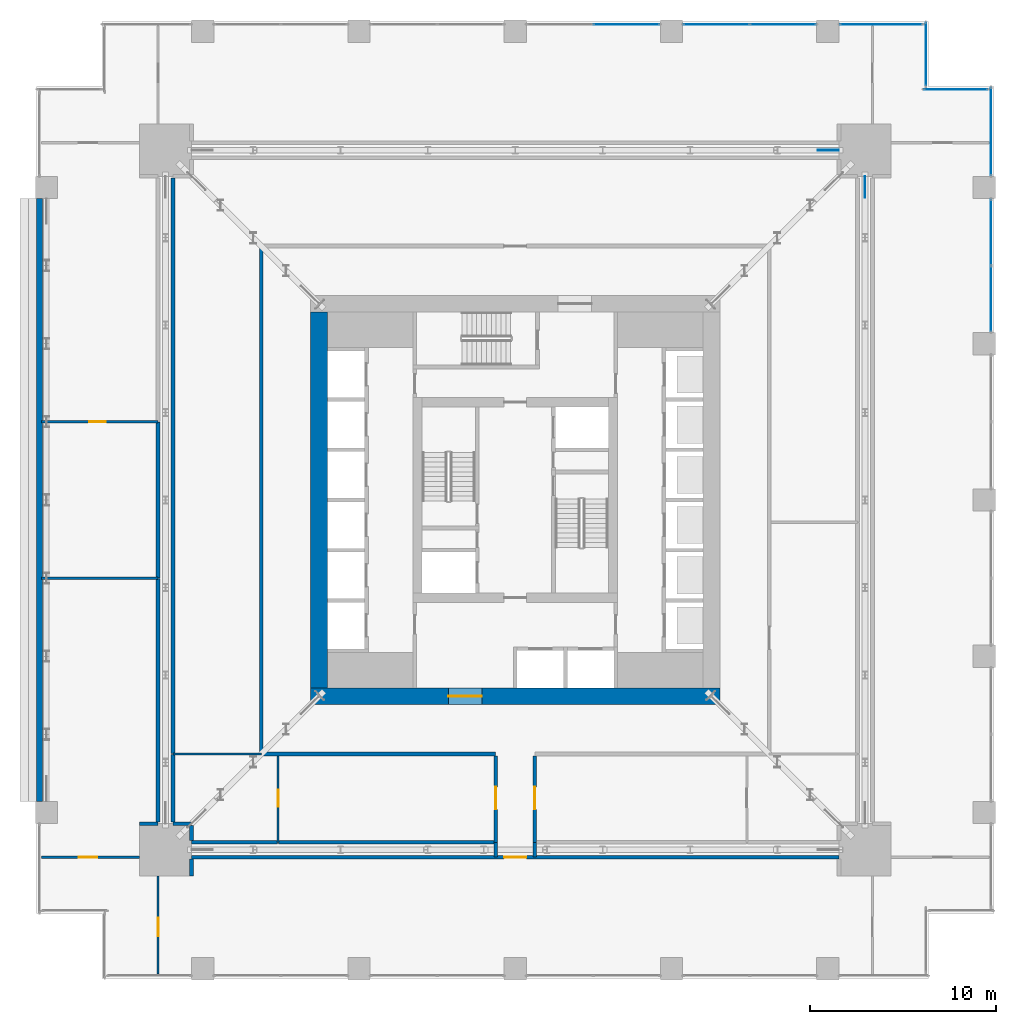
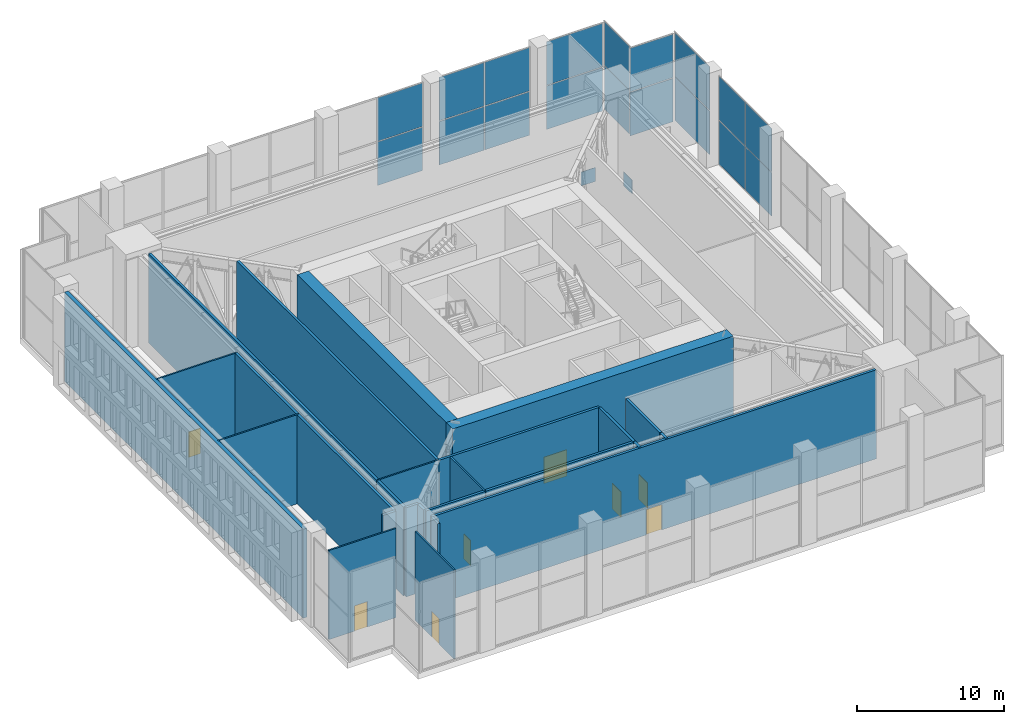
# One storey, part 15 of 21: 26 walls, 20 plates, 8 doors, 8 openings, 7 elements without a shape of their own.
"""IFC4 building model written with IfcOpenShell, lengths in metres."""

from ifc_helpers import new_model, si_unit, direction, frame, frame_2d, origin, origin_2d, place, context, subcontext, project, spatial, rectangle, extrude, material, layer, layer_set, type_object, element, fill, aggregate, save


model = new_model("IFC4")

# Units and contexts
model_context = context("Model", 3, precision=1e-05, world=origin(), true_north=direction((0.0, 1.0)))
body_context = subcontext(model_context, "Body", "Model", "MODEL_VIEW")
ifc_project = project(units=[si_unit("LENGTHUNIT", "METRE"), si_unit("AREAUNIT", "SQUARE_METRE"), si_unit("VOLUMEUNIT", "CUBIC_METRE"), si_unit("PLANEANGLEUNIT", "RADIAN"), si_unit("MASSUNIT", "GRAM", prefix="KILO")], contexts=[model_context])

# Site, building, storey
site_placement = place(None, origin())
site = spatial("IfcSite", under=ifc_project, at=site_placement, CompositionType="ELEMENT")
building_placement = place(site_placement, origin())
building = spatial("IfcBuilding", under=site, at=building_placement, Name="Khepri Terraces", CompositionType="ELEMENT")
storey_placement = place(building_placement, frame((0.0, 0.0, 126.0)))
storey = spatial("IfcBuildingStorey", under=building, at=storey_placement, Name="L30", CompositionType="ELEMENT", Elevation=126.0)

# Curtain wall, plates
ifc_material_1 = material(Name="Anodised aluminium bronze curtain wall", Category="aluminium")
curtain_wall_type = type_object("IfcCurtainWallType", Name="CW-SYS3-SKY", PredefinedType="NOTDEFINED", material=ifc_material_1)
curtain_wall_1_placement = place(storey_placement, origin())
curtain_wall_1 = element("IfcCurtainWall", 1, at=curtain_wall_1_placement, inside=storey, type_object=curtain_wall_type, Name="Curtain wall CW3 L30 E", PredefinedType="NOTDEFINED")
ifc_material_2 = material(Name="Clear glass", Category="glass")
ifc_layer_1 = layer(ifc_material_2, 0.028076171875, Name="Clear glass", Category="glass")
ifc_layer_set_1 = layer_set([ifc_layer_1], Name="Clear glass")
plate_type_1 = type_object("IfcPlateType", Name="CW-PANEL-VISION-28", PredefinedType="CURTAIN_PANEL", material=ifc_layer_set_1)
plate_1_placement = place(storey_placement, frame((25.570068359375, 10.81494140625, 0.06005859375), z_axis=(0.0, 0.0, 1.0), x_axis=(0.0, 1.0, 0.0)))
plate_1 = element("IfcPlate", 2, at=plate_1_placement, type_object=plate_type_1, Name="CW3 panel 1.1", PredefinedType="CURTAIN_PANEL", context=body_context, shape_type="SweptSolid", body=[
    extrude(rectangle(XDim=3.510009765625, YDim=0.028076171875, at=origin_2d()), origin(), (0.0, 0.0, 1.0), 3.60009765625),
])
plate_2_placement = place(storey_placement, frame((25.570068359375, 10.81494140625, 3.719970703125), z_axis=(0.0, 0.0, 1.0), x_axis=(0.0, 1.0, 0.0)))
plate_2 = element("IfcPlate", 3, at=plate_2_placement, type_object=plate_type_1, Name="CW3 panel 1.2", PredefinedType="CURTAIN_PANEL", context=body_context, shape_type="SweptSolid", body=[
    extrude(rectangle(XDim=3.510009765625, YDim=0.028076171875, at=origin_2d()), origin(), (0.0, 0.0, 1.0), 3.60009765625),
])
plate_3_placement = place(storey_placement, frame((25.570068359375, 14.385009765625, 0.06005859375), z_axis=(0.0, 0.0, 1.0), x_axis=(0.0, 1.0, 0.0)))
plate_3 = element("IfcPlate", 4, at=plate_3_placement, type_object=plate_type_1, Name="CW3 panel 2.1", PredefinedType="CURTAIN_PANEL", context=body_context, shape_type="SweptSolid", body=[
    extrude(rectangle(XDim=3.510009765625, YDim=0.028076171875, at=origin_2d()), origin(), (0.0, 0.0, 1.0), 3.60009765625),
])
plate_4_placement = place(storey_placement, frame((25.570068359375, 14.385009765625, 3.719970703125), z_axis=(0.0, 0.0, 1.0), x_axis=(0.0, 1.0, 0.0)))
plate_4 = element("IfcPlate", 5, at=plate_4_placement, type_object=plate_type_1, Name="CW3 panel 2.2", PredefinedType="CURTAIN_PANEL", context=body_context, shape_type="SweptSolid", body=[
    extrude(rectangle(XDim=3.510009765625, YDim=0.028076171875, at=origin_2d()), origin(), (0.0, 0.0, 1.0), 3.60009765625),
])
aggregate(curtain_wall_1, [plate_1, plate_2, plate_3, plate_4])

curtain_wall_2_placement = place(storey_placement, origin())
curtain_wall_2 = element("IfcCurtainWall", 6, at=curtain_wall_2_placement, inside=storey, type_object=curtain_wall_type, Name="Curtain wall CW3 L30 E", PredefinedType="NOTDEFINED")
plate_5_placement = place(storey_placement, frame((25.570068359375, 19.81005859375, 0.06005859375), z_axis=(0.0, 0.0, 1.0), x_axis=(0.0, 1.0, 0.0)))
plate_5 = element("IfcPlate", 7, at=plate_5_placement, type_object=plate_type_1, Name="CW3 panel 1.1", PredefinedType="CURTAIN_PANEL", context=body_context, shape_type="SweptSolid", body=[
    extrude(rectangle(XDim=4.699951171875, YDim=0.028076171875, at=origin_2d()), origin(), (0.0, 0.0, 1.0), 3.60009765625),
])
plate_6_placement = place(storey_placement, frame((25.570068359375, 19.81005859375, 3.719970703125), z_axis=(0.0, 0.0, 1.0), x_axis=(0.0, 1.0, 0.0)))
plate_6 = element("IfcPlate", 8, at=plate_6_placement, type_object=plate_type_1, Name="CW3 panel 1.2", PredefinedType="CURTAIN_PANEL", context=body_context, shape_type="SweptSolid", body=[
    extrude(rectangle(XDim=4.699951171875, YDim=0.028076171875, at=origin_2d()), origin(), (0.0, 0.0, 1.0), 3.60009765625),
])
aggregate(curtain_wall_2, [plate_5, plate_6])

curtain_wall_3_placement = place(storey_placement, origin())
curtain_wall_3 = element("IfcCurtainWall", 9, at=curtain_wall_3_placement, inside=storey, type_object=curtain_wall_type, Name="Curtain wall CW3 L30 N", PredefinedType="NOTDEFINED")
plate_7_placement = place(storey_placement, frame((23.669921875, 22.070068359375, 0.06005859375), z_axis=(0.0, 0.0, 1.0), x_axis=(-1.0, 0.0, 0.0)))
plate_7 = element("IfcPlate", 10, at=plate_7_placement, type_object=plate_type_1, Name="CW3 panel 1.1", PredefinedType="CURTAIN_PANEL", context=body_context, shape_type="SweptSolid", body=[
    extrude(rectangle(XDim=3.3798828125, YDim=0.028076171875, at=origin_2d()), origin(), (0.0, 0.0, 1.0), 3.60009765625),
])
plate_8_placement = place(storey_placement, frame((23.669921875, 22.070068359375, 3.719970703125), z_axis=(0.0, 0.0, 1.0), x_axis=(-1.0, 0.0, 0.0)))
plate_8 = element("IfcPlate", 11, at=plate_8_placement, type_object=plate_type_1, Name="CW3 panel 1.2", PredefinedType="CURTAIN_PANEL", context=body_context, shape_type="SweptSolid", body=[
    extrude(rectangle(XDim=3.3798828125, YDim=0.028076171875, at=origin_2d()), origin(), (0.0, 0.0, 1.0), 3.60009765625),
])
aggregate(curtain_wall_3, [plate_7, plate_8])

curtain_wall_4_placement = place(storey_placement, origin())
curtain_wall_4 = element("IfcCurtainWall", 12, at=curtain_wall_4_placement, inside=storey, type_object=curtain_wall_type, Name="Curtain wall CW3 L30 E", PredefinedType="NOTDEFINED")
plate_9_placement = place(storey_placement, frame((22.070068359375, 23.969970703125, 0.06005859375), z_axis=(0.0, 0.0, 1.0), x_axis=(0.0, 1.0, 0.0)))
plate_9 = element("IfcPlate", 13, at=plate_9_placement, type_object=plate_type_1, Name="CW3 panel 1.1", PredefinedType="CURTAIN_PANEL", context=body_context, shape_type="SweptSolid", body=[
    extrude(rectangle(XDim=3.3798828125, YDim=0.028076171875, at=origin_2d()), origin(), (0.0, 0.0, 1.0), 3.60009765625),
])
plate_10_placement = place(storey_placement, frame((22.070068359375, 23.969970703125, 3.719970703125), z_axis=(0.0, 0.0, 1.0), x_axis=(0.0, 1.0, 0.0)))
plate_10 = element("IfcPlate", 14, at=plate_10_placement, type_object=plate_type_1, Name="CW3 panel 1.2", PredefinedType="CURTAIN_PANEL", context=body_context, shape_type="SweptSolid", body=[
    extrude(rectangle(XDim=3.3798828125, YDim=0.028076171875, at=origin_2d()), origin(), (0.0, 0.0, 1.0), 3.60009765625),
])
aggregate(curtain_wall_4, [plate_9, plate_10])

curtain_wall_5_placement = place(storey_placement, origin())
curtain_wall_5 = element("IfcCurtainWall", 15, at=curtain_wall_5_placement, inside=storey, type_object=curtain_wall_type, Name="Curtain wall CW3 L30 N", PredefinedType="NOTDEFINED")
plate_11_placement = place(storey_placement, frame((19.659912109375, 25.570068359375, 0.06005859375), z_axis=(0.0, 0.0, 1.0), x_axis=(-1.0, 0.0, 0.0)))
plate_11 = element("IfcPlate", 16, at=plate_11_placement, type_object=plate_type_1, Name="CW3 panel 1.1", PredefinedType="CURTAIN_PANEL", context=body_context, shape_type="SweptSolid", body=[
    extrude(rectangle(XDim=4.39990234375, YDim=0.028076171875, at=origin_2d()), origin(), (0.0, 0.0, 1.0), 3.60009765625),
])
plate_12_placement = place(storey_placement, frame((19.659912109375, 25.570068359375, 3.719970703125), z_axis=(0.0, 0.0, 1.0), x_axis=(-1.0, 0.0, 0.0)))
plate_12 = element("IfcPlate", 17, at=plate_12_placement, type_object=plate_type_1, Name="CW3 panel 1.2", PredefinedType="CURTAIN_PANEL", context=body_context, shape_type="SweptSolid", body=[
    extrude(rectangle(XDim=4.39990234375, YDim=0.028076171875, at=origin_2d()), origin(), (0.0, 0.0, 1.0), 3.60009765625),
])
aggregate(curtain_wall_5, [plate_11, plate_12])

curtain_wall_6_placement = place(storey_placement, origin())
curtain_wall_6 = element("IfcCurtainWall", 18, at=curtain_wall_6_placement, inside=storey, type_object=curtain_wall_type, Name="Curtain wall CW3 L30 N", PredefinedType="NOTDEFINED")
plate_13_placement = place(storey_placement, frame((14.385009765625, 25.570068359375, 0.06005859375), z_axis=(0.0, 0.0, 1.0), x_axis=(-1.0, 0.0, 0.0)))
plate_13 = element("IfcPlate", 19, at=plate_13_placement, type_object=plate_type_1, Name="CW3 panel 1.1", PredefinedType="CURTAIN_PANEL", context=body_context, shape_type="SweptSolid", body=[
    extrude(rectangle(XDim=3.510009765625, YDim=0.028076171875, at=origin_2d()), origin(), (0.0, 0.0, 1.0), 3.60009765625),
])
plate_14_placement = place(storey_placement, frame((14.385009765625, 25.570068359375, 3.719970703125), z_axis=(0.0, 0.0, 1.0), x_axis=(-1.0, 0.0, 0.0)))
plate_14 = element("IfcPlate", 20, at=plate_14_placement, type_object=plate_type_1, Name="CW3 panel 1.2", PredefinedType="CURTAIN_PANEL", context=body_context, shape_type="SweptSolid", body=[
    extrude(rectangle(XDim=3.510009765625, YDim=0.028076171875, at=origin_2d()), origin(), (0.0, 0.0, 1.0), 3.60009765625),
])
plate_15_placement = place(storey_placement, frame((10.81494140625, 25.570068359375, 0.06005859375), z_axis=(0.0, 0.0, 1.0), x_axis=(-1.0, 0.0, 0.0)))
plate_15 = element("IfcPlate", 21, at=plate_15_placement, type_object=plate_type_1, Name="CW3 panel 2.1", PredefinedType="CURTAIN_PANEL", context=body_context, shape_type="SweptSolid", body=[
    extrude(rectangle(XDim=3.510009765625, YDim=0.028076171875, at=origin_2d()), origin(), (0.0, 0.0, 1.0), 3.60009765625),
])
plate_16_placement = place(storey_placement, frame((10.81494140625, 25.570068359375, 3.719970703125), z_axis=(0.0, 0.0, 1.0), x_axis=(-1.0, 0.0, 0.0)))
plate_16 = element("IfcPlate", 22, at=plate_16_placement, type_object=plate_type_1, Name="CW3 panel 2.2", PredefinedType="CURTAIN_PANEL", context=body_context, shape_type="SweptSolid", body=[
    extrude(rectangle(XDim=3.510009765625, YDim=0.028076171875, at=origin_2d()), origin(), (0.0, 0.0, 1.0), 3.60009765625),
])
aggregate(curtain_wall_6, [plate_13, plate_14, plate_15, plate_16])

curtain_wall_7_placement = place(storey_placement, origin())
curtain_wall_7 = element("IfcCurtainWall", 23, at=curtain_wall_7_placement, inside=storey, type_object=curtain_wall_type, Name="Curtain wall CW3 L30 N", PredefinedType="NOTDEFINED")
plate_17_placement = place(storey_placement, frame((5.985107421875, 25.570068359375, 0.06005859375), z_axis=(0.0, 0.0, 1.0), x_axis=(-1.0, 0.0, 0.0)))
plate_17 = element("IfcPlate", 24, at=plate_17_placement, type_object=plate_type_1, Name="CW3 panel 1.1", PredefinedType="CURTAIN_PANEL", context=body_context, shape_type="SweptSolid", body=[
    extrude(rectangle(XDim=3.510009765625, YDim=0.028076171875, at=origin_2d()), origin(), (0.0, 0.0, 1.0), 3.60009765625),
])
plate_18_placement = place(storey_placement, frame((5.985107421875, 25.570068359375, 3.719970703125), z_axis=(0.0, 0.0, 1.0), x_axis=(-1.0, 0.0, 0.0)))
plate_18 = element("IfcPlate", 25, at=plate_18_placement, type_object=plate_type_1, Name="CW3 panel 1.2", PredefinedType="CURTAIN_PANEL", context=body_context, shape_type="SweptSolid", body=[
    extrude(rectangle(XDim=3.510009765625, YDim=0.028076171875, at=origin_2d()), origin(), (0.0, 0.0, 1.0), 3.60009765625),
])
aggregate(curtain_wall_7, [plate_17, plate_18])

# Plates
ifc_material_3 = material(Name="Steel S355", Category="steel")
ifc_layer_2 = layer(ifc_material_3, 0.030029296875, Name="Steel S355", Category="steel")
ifc_layer_set_2 = layer_set([ifc_layer_2], Name="Steel S355")
plate_type_2 = type_object("IfcPlateType", Name="Gusset plate 1150x1150x30", PredefinedType="USERDEFINED", material=ifc_layer_set_2)
for number, where, z_axis, x_axis, name in (
    (26, (18.800048828125, 16.824951171875, -0.099853515625), (0.0, 0.0, 1.0), (0.0, 1.0, 0.0), "GUSSET PLATE BT-30-E column node B"),
    (27, (16.824951171875, 18.800048828125, -0.099853515625), (0.0, 0.0, 1.0), (-1.0, 0.0, 0.0), "GUSSET PLATE BT-30-N column node A"),
):
    element("IfcPlate", number, at=place(storey_placement, frame(where, z_axis=z_axis, x_axis=x_axis)), inside=storey, type_object=plate_type_2, Name=name, ObjectType="GUSSET PLATE", PredefinedType="USERDEFINED", context=body_context, shape_type="SweptSolid", body=[
        extrude(rectangle(XDim=1.14990234375, YDim=0.030029296875, at=origin_2d()), origin(), (0.0, 0.0, 1.0), 1.14990234375),
    ])

# Wall, opening, door
ifc_material_4 = material(Name="Concrete C70/85", Category="concrete")
ifc_layer_3 = layer(ifc_material_4, 0.89990234375, Name="Concrete C70/85", Category="concrete")
ifc_layer_set_3 = layer_set([ifc_layer_3], Name="Concrete C70/85")
wall_type_1 = type_object("IfcWallType", Name="Core wall 900 C70/85", PredefinedType="SHEAR", material=ifc_layer_set_3)
wall_1_placement = place(storey_placement, frame((-11.0, -10.550048828125, 0.0), z_axis=(0.0, 0.0, 1.0), x_axis=(1.0, 0.0, 0.0)))
wall_1 = element("IfcWall", 28, at=wall_1_placement, inside=storey, type_object=wall_type_1, Name="Core wall OW-S L30", PredefinedType="SHEAR", context=body_context, shape_type="SweptSolid", body=[
    extrude(rectangle(XDim=22.0, YDim=0.89990234375, at=frame_2d((11.0, 0.0))), origin(), (0.0, 0.0, 1.0), 7.3798828125),
])
opening_1_placement = place(wall_1_placement, frame((7.39990234375, 0.0, 0.0)))
opening_1 = element("IfcOpeningElement", 29, at=opening_1_placement, cuts=wall_1, Name="Opening L30-C29", PredefinedType="OPENING", context=body_context, shape_type="SweptSolid", body=[
    extrude(rectangle(XDim=1.800048828125, YDim=2.199951171875, at=frame_2d((0.89990234375, 1.10009765625))), frame((0.0, 0.4599609375, 0.0), z_axis=(0.0, -1.0, 0.0), x_axis=(1.0, 0.0, 0.0)), (0.0, 0.0, 1.0), 0.919921875),
])
ifc_material_5 = material(Name="Painted steel", Category="steel")
door_type_1 = type_object("IfcDoorType", Name="DR-CORE-ENTRANCE-1800", OperationType="NOTDEFINED", PredefinedType="DOOR", material=ifc_material_5)
door_1_placement = place(opening_1_placement, frame((1.800048828125, 0.0, 0.0), z_axis=(0.0, 0.0, 1.0), x_axis=(-1.0, 0.0, 0.0)))
door_1 = element("IfcDoor", 30, at=door_1_placement, inside=storey, type_object=door_type_1, Name="Core entrance door pair L30-C29", OperationType="DOUBLE_DOOR_SINGLE_SWING", OverallHeight=2.199951171875, OverallWidth=1.800048828125, PredefinedType="DOOR", context=body_context, shape_type="SweptSolid", body=[
    extrude(rectangle(XDim=1.800048828125, YDim=2.199951171875, at=frame_2d((0.89990234375, 1.10009765625))), frame((0.0, 0.02490234375, 0.0), z_axis=(0.0, -1.0, 0.0), x_axis=(1.0, 0.0, 0.0)), (0.0, 0.0, 1.0), 0.050048828125),
])
fill(opening_1, door_1)

# Walls
wall_2_placement = place(storey_placement, frame((-10.550048828125, -10.10009765625, 0.0), z_axis=(0.0, 0.0, 1.0), x_axis=(0.0, 1.0, 0.0)))
element("IfcWall", 31, at=wall_2_placement, inside=storey, type_object=wall_type_1, Name="Core wall OW-W L30", PredefinedType="SHEAR", context=body_context, shape_type="SweptSolid", body=[
    extrude(rectangle(XDim=20.2001953125, YDim=0.89990234375, at=frame_2d((10.10009765625, 0.0))), origin(), (0.0, 0.0, 1.0), 7.3798828125),
])
ifc_material_6 = material(Name="Fire-rated gypsum plasterboard partition, mineral wool")
ifc_layer_4 = layer(ifc_material_6, 0.199951171875, Name="Fire-rated gypsum plasterboard partition, mineral wool")
ifc_layer_set_4 = layer_set([ifc_layer_4], Name="Fire-rated gypsum plasterboard partition, mineral wool")
wall_type_2 = type_object("IfcWallType", Name="WL-CORR-200", PredefinedType="PARTITIONING", material=ifc_layer_set_4)
wall_3_placement = place(storey_placement, frame((-17.39990234375, -20.199951171875, 0.0), z_axis=(0.0, 0.0, 1.0), x_axis=(0.0, 1.0, 0.0)))
element("IfcWall", 32, at=wall_3_placement, inside=storey, type_object=wall_type_2, Name="Partition P-003 L30", PredefinedType="PARTITIONING", context=body_context, shape_type="SweptSolid", body=[
    extrude(rectangle(XDim=0.89990234375, YDim=0.199951171875, at=frame_2d((0.449951171875, 0.0))), origin(), (0.0, 0.0, 1.0), 7.3798828125),
])

# Wall, opening, door
wall_4_placement = place(storey_placement, frame((-17.39990234375, -19.199951171875, 0.0), z_axis=(0.0, 0.0, 1.0), x_axis=(1.0, 0.0, 0.0)))
wall_4 = element("IfcWall", 33, at=wall_4_placement, inside=storey, type_object=wall_type_2, Name="Partition P-006 L30", PredefinedType="PARTITIONING", context=body_context, shape_type="SweptSolid", body=[
    extrude(rectangle(XDim=34.7998046875, YDim=0.199951171875, at=frame_2d((17.39990234375, 0.0))), origin(), (0.0, 0.0, 1.0), 7.3798828125),
])
opening_2_placement = place(wall_4_placement, frame((16.800048828125, 0.0, 0.0)))
opening_2 = element("IfcOpeningElement", 34, at=opening_2_placement, cuts=wall_4, Name="Opening D6", PredefinedType="OPENING", context=body_context, shape_type="SweptSolid", body=[
    extrude(rectangle(XDim=1.199951171875, YDim=2.10009765625, at=frame_2d((0.60009765625, 1.050048828125))), frame((0.0, 0.10986328125, 0.0), z_axis=(0.0, -1.0, 0.0), x_axis=(1.0, 0.0, 0.0)), (0.0, 0.0, 1.0), 0.219970703125),
])
ifc_material_7 = material(Name="Timber door leaf, public room, fire-rated", Category="wood")
door_type_2 = type_object("IfcDoorType", Name="DR-PUB-1200", OperationType="NOTDEFINED", PredefinedType="DOOR", material=ifc_material_7)
door_2_placement = place(opening_2_placement, frame((1.199951171875, 0.0, 0.0), z_axis=(0.0, 0.0, 1.0), x_axis=(-1.0, 0.0, 0.0)))
door_2 = element("IfcDoor", 35, at=door_2_placement, inside=storey, type_object=door_type_2, Name="Door Wellness Centre", OperationType="SINGLE_SWING_LEFT", OverallHeight=2.10009765625, OverallWidth=1.199951171875, PredefinedType="DOOR", context=body_context, shape_type="SweptSolid", body=[
    extrude(rectangle(XDim=1.199951171875, YDim=2.10009765625, at=frame_2d((0.60009765625, 1.050048828125))), frame((0.0, 0.02490234375, 0.0), z_axis=(0.0, -1.0, 0.0), x_axis=(1.0, 0.0, 0.0)), (0.0, 0.0, 1.0), 0.050048828125),
])
fill(opening_2, door_2)

# Walls
for number, where, z_axis, x_axis, name in (
    (36, (-1.050048828125, -19.179931640625, 0.0), (0.0, 0.0, 1.0), (0.0, 1.0, 0.0), "Partition P-008 L30"),
    (37, (1.050048828125, -19.179931640625, 0.0), (0.0, 0.0, 1.0), (0.0, 1.0, 0.0), "Partition P-009 L30"),
):
    element("IfcWall", number, at=place(storey_placement, frame(where, z_axis=z_axis, x_axis=x_axis)), inside=storey, type_object=wall_type_2, Name=name, PredefinedType="PARTITIONING", context=body_context, shape_type="SweptSolid", body=[
        extrude(rectangle(XDim=0.760009765625, YDim=0.199951171875, at=frame_2d((0.3798828125, 0.0))), origin(), (0.0, 0.0, 1.0), 7.3798828125),
    ])
wall_5_placement = place(storey_placement, frame((-17.39990234375, -18.39990234375, 0.0), z_axis=(0.0, 0.0, 1.0), x_axis=(1.0, 0.0, 0.0)))
element("IfcWall", 38, at=wall_5_placement, inside=storey, type_object=wall_type_2, Name="Partition P-010 L30", PredefinedType="PARTITIONING", context=body_context, shape_type="SweptSolid", body=[
    extrude(rectangle(XDim=4.6298828125, YDim=0.199951171875, at=frame_2d((2.31494140625, 0.0))), origin(), (0.0, 0.0, 1.0), 7.3798828125),
])
wall_6_placement = place(storey_placement, frame((-12.72998046875, -18.39990234375, 0.0), z_axis=(0.0, 0.0, 1.0), x_axis=(1.0, 0.0, 0.0)))
element("IfcWall", 39, at=wall_6_placement, inside=storey, type_object=wall_type_2, Name="Partition P-012 L30", PredefinedType="PARTITIONING", context=body_context, shape_type="SweptSolid", body=[
    extrude(rectangle(XDim=11.659912109375, YDim=0.199951171875, at=frame_2d((5.830078125, 0.0))), origin(), (0.0, 0.0, 1.0), 7.3798828125),
])

# Wall, opening, door
wall_7_placement = place(storey_placement, frame((-1.050048828125, -18.39990234375, 0.0), z_axis=(0.0, 0.0, 1.0), x_axis=(0.0, 1.0, 0.0)))
wall_7 = element("IfcWall", 40, at=wall_7_placement, inside=storey, type_object=wall_type_2, Name="Partition P-013 L30", PredefinedType="PARTITIONING", context=body_context, shape_type="SweptSolid", body=[
    extrude(rectangle(XDim=4.64990234375, YDim=0.199951171875, at=frame_2d((2.324951171875, 0.0))), origin(), (0.0, 0.0, 1.0), 7.3798828125),
])
opening_3_placement = place(wall_7_placement, frame((1.77490234375, 0.0, 0.0)))
opening_3 = element("IfcOpeningElement", 41, at=opening_3_placement, cuts=wall_7, Name="Opening D6", PredefinedType="OPENING", context=body_context, shape_type="SweptSolid", body=[
    extrude(rectangle(XDim=1.199951171875, YDim=2.10009765625, at=frame_2d((0.60009765625, 1.050048828125))), frame((0.0, 0.10986328125, 0.0), z_axis=(0.0, -1.0, 0.0), x_axis=(1.0, 0.0, 0.0)), (0.0, 0.0, 1.0), 0.219970703125),
])
door_3_placement = place(opening_3_placement, origin())
door_3 = element("IfcDoor", 42, at=door_3_placement, inside=storey, type_object=door_type_2, Name="Door Sky Lounge", OperationType="SINGLE_SWING_RIGHT", OverallHeight=2.10009765625, OverallWidth=1.199951171875, PredefinedType="DOOR", context=body_context, shape_type="SweptSolid", body=[
    extrude(rectangle(XDim=1.199951171875, YDim=2.10009765625, at=frame_2d((0.60009765625, 1.050048828125))), frame((0.0, 0.02490234375, 0.0), z_axis=(0.0, -1.0, 0.0), x_axis=(1.0, 0.0, 0.0)), (0.0, 0.0, 1.0), 0.050048828125),
])
fill(opening_3, door_3)

wall_8_placement = place(storey_placement, frame((1.050048828125, -18.39990234375, 0.0), z_axis=(0.0, 0.0, 1.0), x_axis=(0.0, 1.0, 0.0)))
wall_8 = element("IfcWall", 43, at=wall_8_placement, inside=storey, type_object=wall_type_2, Name="Partition P-014 L30", PredefinedType="PARTITIONING", context=body_context, shape_type="SweptSolid", body=[
    extrude(rectangle(XDim=4.64990234375, YDim=0.199951171875, at=frame_2d((2.324951171875, 0.0))), origin(), (0.0, 0.0, 1.0), 7.3798828125),
])
opening_4_placement = place(wall_8_placement, frame((1.77490234375, 0.0, 0.0)))
opening_4 = element("IfcOpeningElement", 44, at=opening_4_placement, cuts=wall_8, Name="Opening D6", PredefinedType="OPENING", context=body_context, shape_type="SweptSolid", body=[
    extrude(rectangle(XDim=1.199951171875, YDim=2.10009765625, at=frame_2d((0.60009765625, 1.050048828125))), frame((0.0, 0.10986328125, 0.0), z_axis=(0.0, -1.0, 0.0), x_axis=(1.0, 0.0, 0.0)), (0.0, 0.0, 1.0), 0.219970703125),
])
door_4_placement = place(opening_4_placement, frame((1.199951171875, 0.0, 0.0), z_axis=(0.0, 0.0, 1.0), x_axis=(-1.0, 0.0, 0.0)))
door_4 = element("IfcDoor", 45, at=door_4_placement, inside=storey, type_object=door_type_2, Name="Door Sky Spa", OperationType="SINGLE_SWING_LEFT", OverallHeight=2.10009765625, OverallWidth=1.199951171875, PredefinedType="DOOR", context=body_context, shape_type="SweptSolid", body=[
    extrude(rectangle(XDim=1.199951171875, YDim=2.10009765625, at=frame_2d((0.60009765625, 1.050048828125))), frame((0.0, 0.02490234375, 0.0), z_axis=(0.0, -1.0, 0.0), x_axis=(1.0, 0.0, 0.0)), (0.0, 0.0, 1.0), 0.050048828125),
])
fill(opening_4, door_4)

# Walls
wall_9_placement = place(storey_placement, frame((-17.39990234375, -18.300048828125, 0.0), z_axis=(0.0, 0.0, 1.0), x_axis=(0.0, 1.0, 0.0)))
element("IfcWall", 46, at=wall_9_placement, inside=storey, type_object=wall_type_2, Name="Partition P-018 L30", PredefinedType="PARTITIONING", context=body_context, shape_type="SweptSolid", body=[
    extrude(rectangle(XDim=0.800048828125, YDim=0.199951171875, at=frame_2d((0.39990234375, 0.0))), origin(), (0.0, 0.0, 1.0), 7.3798828125),
])
for number, where, z_axis, x_axis, name in (
    (47, (-20.199951171875, -17.39990234375, 0.0), (0.0, 0.0, 1.0), (1.0, 0.0, 0.0), "Partition P-020 L30"),
    (48, (-18.39990234375, -17.39990234375, 0.0), (0.0, 0.0, 1.0), (1.0, 0.0, 0.0), "Partition P-021 L30"),
):
    element("IfcWall", number, at=place(storey_placement, frame(where, z_axis=z_axis, x_axis=x_axis)), inside=storey, type_object=wall_type_2, Name=name, PredefinedType="PARTITIONING", context=body_context, shape_type="SweptSolid", body=[
        extrude(rectangle(XDim=1.0, YDim=0.199951171875, at=frame_2d((0.5, 0.0))), origin(), (0.0, 0.0, 1.0), 7.3798828125),
    ])
wall_10_placement = place(storey_placement, frame((-19.199951171875, -17.300048828125, 0.0), z_axis=(0.0, 0.0, 1.0), x_axis=(0.0, 1.0, 0.0)))
element("IfcWall", 49, at=wall_10_placement, inside=storey, type_object=wall_type_2, Name="Partition P-024 L30", PredefinedType="PARTITIONING", context=body_context, shape_type="SweptSolid", body=[
    extrude(rectangle(XDim=13.080078125, YDim=0.199951171875, at=frame_2d((6.5400390625, 0.0))), origin(), (0.0, 0.0, 1.0), 7.3798828125),
])
wall_11_placement = place(storey_placement, frame((-18.39990234375, -17.300048828125, 0.0), z_axis=(0.0, 0.0, 1.0), x_axis=(0.0, 1.0, 0.0)))
element("IfcWall", 50, at=wall_11_placement, inside=storey, type_object=wall_type_2, Name="Partition P-025 L30", PredefinedType="PARTITIONING", context=body_context, shape_type="SweptSolid", body=[
    extrude(rectangle(XDim=3.630126953125, YDim=0.199951171875, at=frame_2d((1.81494140625, 0.0))), origin(), (0.0, 0.0, 1.0), 7.3798828125),
])
wall_12_placement = place(storey_placement, frame((-13.64990234375, -13.64990234375, 0.0), z_axis=(0.0, 0.0, 1.0), x_axis=(1.0, 0.0, 0.0)))
element("IfcWall", 51, at=wall_12_placement, inside=storey, type_object=wall_type_2, Name="Partition P-029 L30", PredefinedType="PARTITIONING", context=body_context, shape_type="SweptSolid", body=[
    extrude(rectangle(XDim=12.599853515625, YDim=0.199951171875, at=frame_2d((6.2998046875, 0.0))), origin(), (0.0, 0.0, 1.0), 7.3798828125),
])
wall_13_placement = place(storey_placement, frame((-18.39990234375, -13.6298828125, 0.0), z_axis=(0.0, 0.0, 1.0), x_axis=(0.0, 1.0, 0.0)))
element("IfcWall", 52, at=wall_13_placement, inside=storey, type_object=wall_type_2, Name="Partition P-032 L30", PredefinedType="PARTITIONING", context=body_context, shape_type="SweptSolid", body=[
    extrude(rectangle(XDim=30.929931640625, YDim=0.199951171875, at=frame_2d((15.46484375, 0.0))), origin(), (0.0, 0.0, 1.0), 7.3798828125),
])
wall_14_placement = place(storey_placement, frame((-13.64990234375, -13.550048828125, 0.0), z_axis=(0.0, 0.0, 1.0), x_axis=(0.0, 1.0, 0.0)))
element("IfcWall", 53, at=wall_14_placement, inside=storey, type_object=wall_type_2, Name="Partition P-034 L30", PredefinedType="PARTITIONING", context=body_context, shape_type="SweptSolid", body=[
    extrude(rectangle(XDim=27.10009765625, YDim=0.199951171875, at=frame_2d((13.550048828125, 0.0))), origin(), (0.0, 0.0, 1.0), 7.3798828125),
])
wall_15_placement = place(storey_placement, frame((-19.199951171875, -4.179931640625, 0.0), z_axis=(0.0, 0.0, 1.0), x_axis=(0.0, 1.0, 0.0)))
element("IfcWall", 54, at=wall_15_placement, inside=storey, type_object=wall_type_2, Name="Partition P-037 L30", PredefinedType="PARTITIONING", context=body_context, shape_type="SweptSolid", body=[
    extrude(rectangle(XDim=8.35986328125, YDim=0.199951171875, at=frame_2d((4.179931640625, 0.0))), origin(), (0.0, 0.0, 1.0), 7.3798828125),
])
ifc_material_8 = material(Name="Precast concrete C50/60 warm stone", Category="masonry")
ifc_layer_5 = layer(ifc_material_8, 0.300048828125, Name="Precast concrete C50/60 warm stone", Category="masonry")
ifc_layer_set_5 = layer_set([ifc_layer_5], Name="Precast concrete C50/60 warm stone")
wall_type_3 = type_object("IfcWallType", Name="WL-EXT-PRECAST-300", PredefinedType="STANDARD", material=ifc_layer_set_5)
wall_16_placement = place(storey_placement, frame((-25.570068359375, 16.199951171875, 0.0), z_axis=(0.0, 0.0, 1.0), x_axis=(0.0, -1.0, 0.0)))
element("IfcWall", 55, at=wall_16_placement, inside=storey, type_object=wall_type_3, Name="External wall L30 W", PredefinedType="STANDARD", context=body_context, shape_type="SweptSolid", body=[
    extrude(rectangle(XDim=32.39990234375, YDim=0.300048828125, at=frame_2d((16.199951171875, 0.0))), origin(), (0.0, 0.0, 1.0), 7.3798828125),
])

# Wall, opening, door
ifc_material_9 = material(Name="Gypsum plasterboard partition")
ifc_layer_6 = layer(ifc_material_9, 0.1201171875, Name="Gypsum plasterboard partition")
ifc_layer_set_6 = layer_set([ifc_layer_6], Name="Gypsum plasterboard partition")
wall_type_4 = type_object("IfcWallType", Name="WL-PART-120", PredefinedType="PARTITIONING", material=ifc_layer_set_6)
wall_17_placement = place(storey_placement, frame((-19.199951171875, -25.469970703125, 0.0), z_axis=(0.0, 0.0, 1.0), x_axis=(0.0, 1.0, 0.0)))
wall_17 = element("IfcWall", 56, at=wall_17_placement, inside=storey, type_object=wall_type_4, Name="Partition P-001 L30", PredefinedType="PARTITIONING", context=body_context, shape_type="SweptSolid", body=[
    extrude(rectangle(XDim=5.27001953125, YDim=0.1201171875, at=frame_2d((2.635009765625, 0.0))), origin(), (0.0, 0.0, 1.0), 7.3798828125),
])
opening_5_placement = place(wall_17_placement, frame((2.010009765625, 0.0, 0.0)))
opening_5 = element("IfcOpeningElement", 57, at=opening_5_placement, cuts=wall_17, Name="Opening D2", PredefinedType="OPENING", context=body_context, shape_type="SweptSolid", body=[
    extrude(rectangle(XDim=1.0, YDim=2.10009765625, at=frame_2d((0.5, 1.050048828125))), frame((0.0, 0.070068359375, 0.0), z_axis=(0.0, -1.0, 0.0), x_axis=(1.0, 0.0, 0.0)), (0.0, 0.0, 1.0), 0.14013671875),
])
ifc_material_10 = material(Name="Timber door leaf, living room door", Category="wood")
door_type_3 = type_object("IfcDoorType", Name="DR-INT-1000", OperationType="NOTDEFINED", PredefinedType="DOOR", material=ifc_material_10)
door_5_placement = place(opening_5_placement, origin())
door_5 = element("IfcDoor", 58, at=door_5_placement, inside=storey, type_object=door_type_3, Name="Door Tasting Room", OperationType="SINGLE_SWING_LEFT", OverallHeight=2.10009765625, OverallWidth=1.0, PredefinedType="DOOR", context=body_context, shape_type="SweptSolid", body=[
    extrude(rectangle(XDim=1.0, YDim=2.10009765625, at=frame_2d((0.5, 1.050048828125))), frame((0.0, 0.02490234375, 0.0), z_axis=(0.0, -1.0, 0.0), x_axis=(1.0, 0.0, 0.0)), (0.0, 0.0, 1.0), 0.050048828125),
])
fill(opening_5, door_5)

wall_18_placement = place(storey_placement, frame((-25.469970703125, -19.199951171875, 0.0), z_axis=(0.0, 0.0, 1.0), x_axis=(1.0, 0.0, 0.0)))
wall_18 = element("IfcWall", 59, at=wall_18_placement, inside=storey, type_object=wall_type_4, Name="Partition P-005 L30", PredefinedType="PARTITIONING", context=body_context, shape_type="SweptSolid", body=[
    extrude(rectangle(XDim=5.27001953125, YDim=0.1201171875, at=frame_2d((2.635009765625, 0.0))), origin(), (0.0, 0.0, 1.0), 7.3798828125),
])
opening_6_placement = place(wall_18_placement, frame((2.010009765625, 0.0, 0.0)))
opening_6 = element("IfcOpeningElement", 60, at=opening_6_placement, cuts=wall_18, Name="Opening D2", PredefinedType="OPENING", context=body_context, shape_type="SweptSolid", body=[
    extrude(rectangle(XDim=1.0, YDim=2.10009765625, at=frame_2d((0.5, 1.050048828125))), frame((0.0, 0.070068359375, 0.0), z_axis=(0.0, -1.0, 0.0), x_axis=(1.0, 0.0, 0.0)), (0.0, 0.0, 1.0), 0.14013671875),
])
door_6_placement = place(opening_6_placement, origin())
door_6 = element("IfcDoor", 61, at=door_6_placement, inside=storey, type_object=door_type_3, Name="Door Sky Kitchen", OperationType="SINGLE_SWING_LEFT", OverallHeight=2.10009765625, OverallWidth=1.0, PredefinedType="DOOR", context=body_context, shape_type="SweptSolid", body=[
    extrude(rectangle(XDim=1.0, YDim=2.10009765625, at=frame_2d((0.5, 1.050048828125))), frame((0.0, 0.02490234375, 0.0), z_axis=(0.0, -1.0, 0.0), x_axis=(1.0, 0.0, 0.0)), (0.0, 0.0, 1.0), 0.050048828125),
])
fill(opening_6, door_6)

wall_19_placement = place(storey_placement, frame((-12.75, -18.39990234375, 0.0), z_axis=(0.0, 0.0, 1.0), x_axis=(0.0, 1.0, 0.0)))
wall_19 = element("IfcWall", 62, at=wall_19_placement, inside=storey, type_object=wall_type_4, Name="Partition P-011 L30", PredefinedType="PARTITIONING", context=body_context, shape_type="SweptSolid", body=[
    extrude(rectangle(XDim=4.64990234375, YDim=0.1201171875, at=frame_2d((2.324951171875, 0.0))), origin(), (0.0, 0.0, 1.0), 7.3798828125),
])
opening_7_placement = place(wall_19_placement, frame((1.925048828125, 0.0, 0.0)))
opening_7 = element("IfcOpeningElement", 63, at=opening_7_placement, cuts=wall_19, Name="Opening D4", PredefinedType="OPENING", context=body_context, shape_type="SweptSolid", body=[
    extrude(rectangle(XDim=0.89990234375, YDim=2.10009765625, at=frame_2d((0.449951171875, 1.050048828125))), frame((0.0, 0.070068359375, 0.0), z_axis=(0.0, -1.0, 0.0), x_axis=(1.0, 0.0, 0.0)), (0.0, 0.0, 1.0), 0.14013671875),
])
ifc_material_11 = material(Name="Timber door leaf, moisture resistant", Category="wood")
door_type_4 = type_object("IfcDoorType", Name="DR-WET-900", OperationType="NOTDEFINED", PredefinedType="DOOR", material=ifc_material_11)
door_7_placement = place(opening_7_placement, origin())
door_7 = element("IfcDoor", 64, at=door_7_placement, inside=storey, type_object=door_type_4, Name="Door Accessible Wc", OperationType="SINGLE_SWING_RIGHT", OverallHeight=2.10009765625, OverallWidth=0.89990234375, PredefinedType="DOOR", context=body_context, shape_type="SweptSolid", body=[
    extrude(rectangle(XDim=0.89990234375, YDim=2.10009765625, at=frame_2d((0.449951171875, 1.050048828125))), frame((0.0, 0.02490234375, 0.0), z_axis=(0.0, -1.0, 0.0), x_axis=(1.0, 0.0, 0.0)), (0.0, 0.0, 1.0), 0.050048828125),
])
fill(opening_7, door_7)

# Walls
wall_20_placement = place(storey_placement, frame((-18.39990234375, -13.64990234375, 0.0), z_axis=(0.0, 0.0, 1.0), x_axis=(1.0, 0.0, 0.0)))
element("IfcWall", 65, at=wall_20_placement, inside=storey, type_object=wall_type_4, Name="Partition P-028 L30", PredefinedType="PARTITIONING", context=body_context, shape_type="SweptSolid", body=[
    extrude(rectangle(XDim=4.75, YDim=0.1201171875, at=frame_2d((2.375, 0.0))), origin(), (0.0, 0.0, 1.0), 7.3798828125),
])
wall_21_placement = place(storey_placement, frame((-25.469970703125, -4.199951171875, 0.0), z_axis=(0.0, 0.0, 1.0), x_axis=(1.0, 0.0, 0.0)))
element("IfcWall", 66, at=wall_21_placement, inside=storey, type_object=wall_type_4, Name="Partition P-036 L30", PredefinedType="PARTITIONING", context=body_context, shape_type="SweptSolid", body=[
    extrude(rectangle(XDim=6.27001953125, YDim=0.1201171875, at=frame_2d((3.135009765625, 0.0))), origin(), (0.0, 0.0, 1.0), 7.3798828125),
])

# Wall, opening, door
wall_22_placement = place(storey_placement, frame((-25.469970703125, 4.199951171875, 0.0), z_axis=(0.0, 0.0, 1.0), x_axis=(1.0, 0.0, 0.0)))
wall_22 = element("IfcWall", 67, at=wall_22_placement, inside=storey, type_object=wall_type_4, Name="Partition P-040 L30", PredefinedType="PARTITIONING", context=body_context, shape_type="SweptSolid", body=[
    extrude(rectangle(XDim=6.27001953125, YDim=0.1201171875, at=frame_2d((3.135009765625, 0.0))), origin(), (0.0, 0.0, 1.0), 7.3798828125),
])
opening_8_placement = place(wall_22_placement, frame((2.56005859375, 0.0, 0.0)))
opening_8 = element("IfcOpeningElement", 68, at=opening_8_placement, cuts=wall_22, Name="Opening D4", PredefinedType="OPENING", context=body_context, shape_type="SweptSolid", body=[
    extrude(rectangle(XDim=0.89990234375, YDim=2.10009765625, at=frame_2d((0.449951171875, 1.050048828125))), frame((0.0, 0.070068359375, 0.0), z_axis=(0.0, -1.0, 0.0), x_axis=(1.0, 0.0, 0.0)), (0.0, 0.0, 1.0), 0.14013671875),
])
door_8_placement = place(opening_8_placement, frame((0.89990234375, 0.0, 0.0), z_axis=(0.0, 0.0, 1.0), x_axis=(-1.0, 0.0, 0.0)))
door_8 = element("IfcDoor", 69, at=door_8_placement, inside=storey, type_object=door_type_4, Name="Door Public Wc", OperationType="SINGLE_SWING_RIGHT", OverallHeight=2.10009765625, OverallWidth=0.89990234375, PredefinedType="DOOR", context=body_context, shape_type="SweptSolid", body=[
    extrude(rectangle(XDim=0.89990234375, YDim=2.10009765625, at=frame_2d((0.449951171875, 1.050048828125))), frame((0.0, 0.02490234375, 0.0), z_axis=(0.0, -1.0, 0.0), x_axis=(1.0, 0.0, 0.0)), (0.0, 0.0, 1.0), 0.050048828125),
])
fill(opening_8, door_8)

save(model, "model.ifc")
